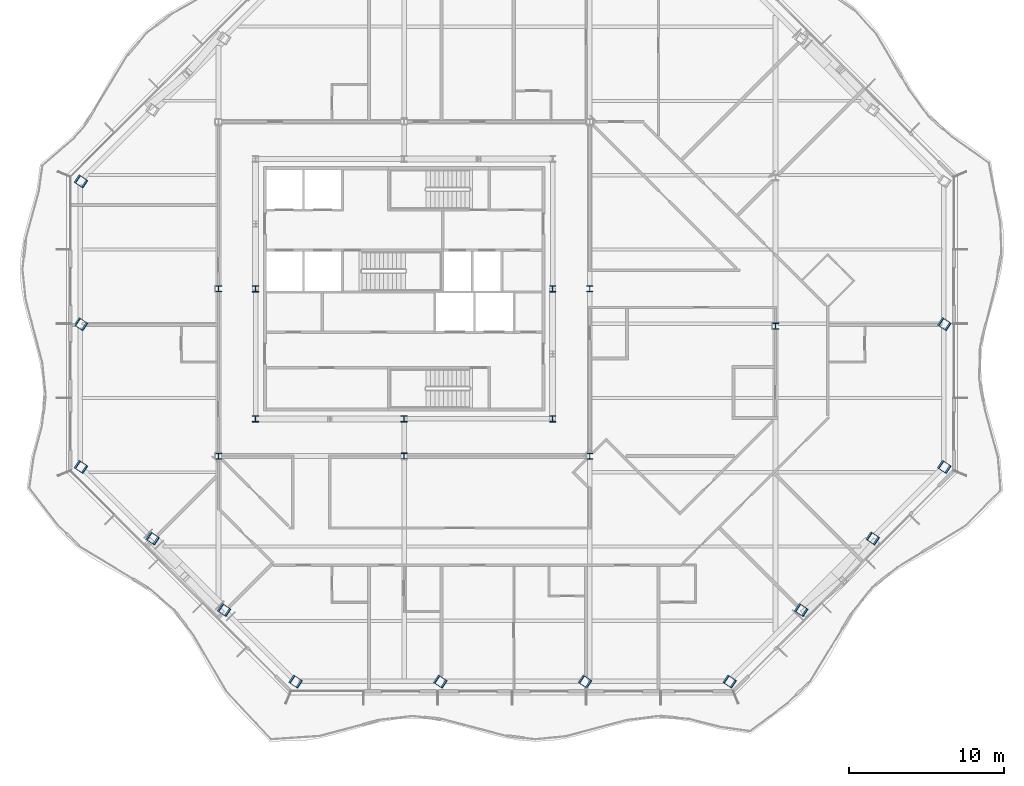
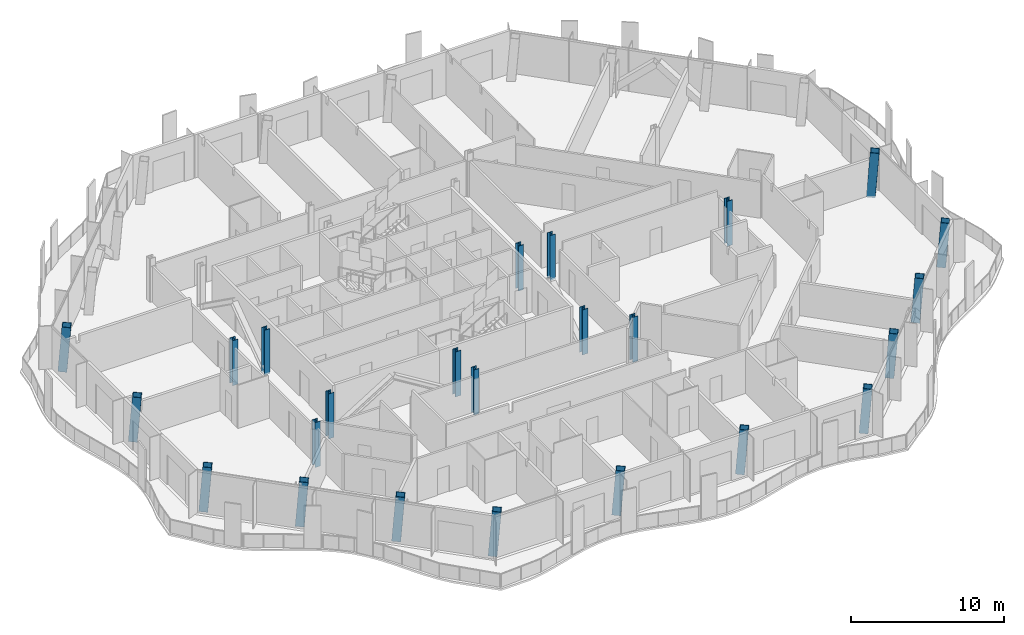
# One storey, part 1 of 19: 24 columns.
"""IFC4 building model written with IfcOpenShell, lengths in metres."""

from ifc_helpers import new_model, si_unit, direction, frame, origin, origin_2d, place, context, subcontext, project, spatial, hollow_rectangle, i_section, extrude, clip, halfspace, material, material_profile, profile_set, type_object, element, save


model = new_model("IFC4")

# Units and contexts
model_context = context("Model", 3, precision=1e-05, world=origin(), true_north=direction((0.0, 1.0)))
body_context = subcontext(model_context, "Body", "Model", "MODEL_VIEW")
ifc_project = project(units=[si_unit("LENGTHUNIT", "METRE"), si_unit("AREAUNIT", "SQUARE_METRE"), si_unit("VOLUMEUNIT", "CUBIC_METRE"), si_unit("PLANEANGLEUNIT", "RADIAN"), si_unit("MASSUNIT", "GRAM", prefix="KILO")], contexts=[model_context])

# Site, building, storey
site_placement = place(None, origin())
site = spatial("IfcSite", under=ifc_project, at=site_placement, CompositionType="ELEMENT")
building_placement = place(site_placement, origin())
building = spatial("IfcBuilding", under=site, at=building_placement, Name="Cairn Pilgrim Tower", CompositionType="ELEMENT")
storey_placement = place(building_placement, frame((0.0, 0.0, 197.39990234375)))
storey = spatial("IfcBuildingStorey", under=building, at=storey_placement, Name="L50", CompositionType="ELEMENT", Elevation=197.39990234375)

# Columns
ifc_material_1 = material(Name="Structural steel S460M", Category="steel")
ifc_material_profile_1 = material_profile(ifc_material_1, hollow_rectangle(XDim=0.60009765625, YDim=0.60009765625, WallThickness=0.034912109375, at=origin_2d()), Name="BOX 600x600x35")
ifc_profile_set_1 = profile_set([ifc_material_profile_1], Name="Structural steel S460M")
column_type_1 = type_object("IfcColumnType", Name="BOX 600x600x35", PredefinedType="COLUMN", material=ifc_profile_set_1)
for number, where, z_axis, x_axis, name in (
    (1, (0.147705078125, -22.949951171875, -0.14990234375), (0.062349577264, -0.041588926266, 0.997187490609), (0.554908399644, 0.831911454426, 0.0), "PC2-S1"),
    (2, (9.499267578125, -22.949951171875, -0.14990234375), (0.062349577264, -0.041588926266, 0.997187490609), (0.554908399644, 0.831911454426, 0.0), "PC2-S2"),
    (3, (18.8505859375, -22.949951171875, -0.14990234375), (0.062349577264, -0.041588926266, 0.997187490609), (0.554908399644, 0.831911454426, 0.0), "PC2-S3"),
    (4, (28.2021484375, -22.949951171875, -0.14990234375), (0.062349577264, -0.041588926266, 0.997187490609), (0.554908399644, 0.831911454426, 0.0), "PC2-SE1"),
    (5, (32.826416015625, -18.32568359375, -0.14990234375), (0.062349752476, -0.041521418677, 0.997190292851), (0.554283476609, 0.832327956732, 0.0), "PC2-SE2"),
    (6, (37.45068359375, -13.701416015625, -0.14990234375), (0.062349577264, -0.041588926266, 0.997187490609), (0.554908399644, 0.831911454426, 0.0), "PC2-SE3"),
    (7, (42.074951171875, -9.0771484375, -0.14990234375), (0.062349577264, -0.041588926266, 0.997187490609), (0.554908399644, 0.831911454426, 0.0), "PC2-E1"),
    (8, (42.074951171875, 0.14990234375, -0.14990234375), (0.062349752476, -0.041521418677, 0.997190292851), (0.554283476609, 0.832327956732, 0.0), "PC2-E2"),
    (9, (-13.72509765625, 9.377197265625, -0.14990234375), (0.062349752476, -0.041521418677, 0.997190292851), (0.554283476609, 0.832327956732, 0.0), "PC2-W1"),
    (10, (-13.72509765625, 0.14990234375, -0.14990234375), (0.062349752476, -0.041521418677, 0.997190292851), (0.554283476609, 0.832327956732, 0.0), "PC2-W2"),
    (11, (-13.72509765625, -9.0771484375, -0.14990234375), (0.062349577264, -0.041588926266, 0.997187490609), (0.554908399644, 0.831911454426, 0.0), "PC2-SW1"),
    (12, (-9.1005859375, -13.701416015625, -0.14990234375), (0.062282215456, -0.041589101526, 0.997191692842), (0.555325171193, 0.831633305153, 0.0), "PC2-SW2"),
    (13, (-4.4765625, -18.32568359375, -0.14990234375), (0.062349752476, -0.041521418677, 0.997190292851), (0.554283476609, 0.832327956732, 0.0), "PC2-SW3"),
):
    element("IfcColumn", number, at=place(storey_placement, frame(where, z_axis=z_axis, x_axis=x_axis)), inside=storey, type_object=column_type_1, Name=name, PredefinedType="COLUMN", context=body_context, shape_type="Clipping", body=[
        clip(clip(extrude(hollow_rectangle(XDim=0.60009765625, YDim=0.60009765625, WallThickness=0.034912109375, at=origin_2d()), origin(), (0.0, 0.0, 1.0), 3.6103515625), halfspace(frame((0.0, 0.0, 0.02197265625), z_axis=(0.0, 0.0, 1.0), x_axis=(1.0, 0.0, 0.0)), True)), halfspace(frame((0.0, 0.0, 3.59912109375), z_axis=(0.0, 0.0, 1.0), x_axis=(1.0, 0.0, 0.0)), False)),
    ])
ifc_material_2 = material(Name="Structural steel S355J2", Category="steel")
ifc_material_profile_2 = material_profile(ifc_material_2, i_section(OverallWidth=0.39892578125, OverallDepth=0.39306640625, WebThickness=0.022705078125, FlangeThickness=0.03662109375, FilletRadius=0.014892578125, at=origin_2d()), Name="HD 400x287")
ifc_profile_set_2 = profile_set([ifc_material_profile_2], Name="Structural steel S355J2")
column_type_2 = type_object("IfcColumnType", Name="HD 400x287", PredefinedType="COLUMN", material=ifc_profile_set_2)
for number, where, z_axis, x_axis, name in (
    (14, (-4.800048828125, -8.39990234375, -0.14990234375), (0.0, 0.0, 1.0), (1.0, 0.0, 0.0), "IC-1"),
    (15, (7.199951171875, -8.39990234375, -0.14990234375), (0.0, 0.0, 1.0), (1.0, 0.0, 0.0), "IC-2"),
    (16, (19.199951171875, -8.39990234375, -0.14990234375), (0.0, 0.0, 1.0), (1.0, 0.0, 0.0), "IC-3"),
    (17, (-4.800048828125, 2.39990234375, -0.14990234375), (0.0, 0.0, 1.0), (1.0, 0.0, 0.0), "IC-4"),
    (18, (19.199951171875, 2.39990234375, -0.14990234375), (0.0, 0.0, 1.0), (1.0, 0.0, 0.0), "IC-5"),
):
    element("IfcColumn", number, at=place(storey_placement, frame(where, z_axis=z_axis, x_axis=x_axis)), inside=storey, type_object=column_type_2, Name=name, PredefinedType="COLUMN", context=body_context, shape_type="SweptSolid", body=[
        extrude(i_section(OverallWidth=0.39892578125, OverallDepth=0.39306640625, WebThickness=0.022705078125, FlangeThickness=0.03662109375, FilletRadius=0.014892578125, at=origin_2d()), origin(), (0.0, 0.0, 1.0), 3.60009765625),
    ])
ifc_material_profile_3 = material_profile(ifc_material_1, i_section(OverallWidth=0.404052734375, OverallDepth=0.406982421875, WebThickness=0.027099609375, FlangeThickness=0.043701171875, FilletRadius=0.014892578125, at=origin_2d()), Name="HD 400x347")
ifc_profile_set_3 = profile_set([ifc_material_profile_3], Name="Structural steel S460M")
column_type_3 = type_object("IfcColumnType", Name="HD 400x347", PredefinedType="COLUMN", material=ifc_profile_set_3)
for number, where, z_axis, x_axis, name in (
    (19, (-2.39990234375, -6.0, -0.14990234375), (0.0, 0.0, 1.0), (1.0, 0.0, 0.0), "KC-1"),
    (20, (7.199951171875, -6.0, -0.14990234375), (0.0, 0.0, 1.0), (1.0, 0.0, 0.0), "KC-2"),
    (21, (16.800048828125, -6.0, -0.14990234375), (0.0, 0.0, 1.0), (1.0, 0.0, 0.0), "KC-3"),
    (22, (-2.39990234375, 2.39990234375, -0.14990234375), (0.0, 0.0, 1.0), (1.0, 0.0, 0.0), "KC-4"),
    (23, (16.800048828125, 2.39990234375, -0.14990234375), (0.0, 0.0, 1.0), (1.0, 0.0, 0.0), "KC-5"),
):
    element("IfcColumn", number, at=place(storey_placement, frame(where, z_axis=z_axis, x_axis=x_axis)), inside=storey, type_object=column_type_3, Name=name, PredefinedType="COLUMN", context=body_context, shape_type="SweptSolid", body=[
        extrude(i_section(OverallWidth=0.404052734375, OverallDepth=0.406982421875, WebThickness=0.027099609375, FlangeThickness=0.043701171875, FilletRadius=0.014892578125, at=origin_2d()), origin(), (0.0, 0.0, 1.0), 3.60009765625),
    ])
ifc_material_profile_4 = material_profile(ifc_material_1, i_section(OverallWidth=0.408935546875, OverallDepth=0.425048828125, WebThickness=0.03271484375, FlangeThickness=0.052490234375, FilletRadius=0.014892578125, at=origin_2d()), Name="HD 400x421")
ifc_profile_set_4 = profile_set([ifc_material_profile_4], Name="Structural steel S460M")
column_type_4 = type_object("IfcColumnType", Name="HD 400x421", PredefinedType="COLUMN", material=ifc_profile_set_4)
column_placement = place(storey_placement, frame((31.199951171875, 0.0, -0.14990234375), z_axis=(0.0, 0.0, 1.0), x_axis=(1.0, 0.0, 0.0)))
element("IfcColumn", 24, at=column_placement, inside=storey, type_object=column_type_4, Name="WC-WE+0", PredefinedType="COLUMN", context=body_context, shape_type="SweptSolid", body=[
    extrude(i_section(OverallWidth=0.408935546875, OverallDepth=0.425048828125, WebThickness=0.03271484375, FlangeThickness=0.052490234375, FilletRadius=0.014892578125, at=origin_2d()), origin(), (0.0, 0.0, 1.0), 3.60009765625),
])

save(model, "model.ifc")
